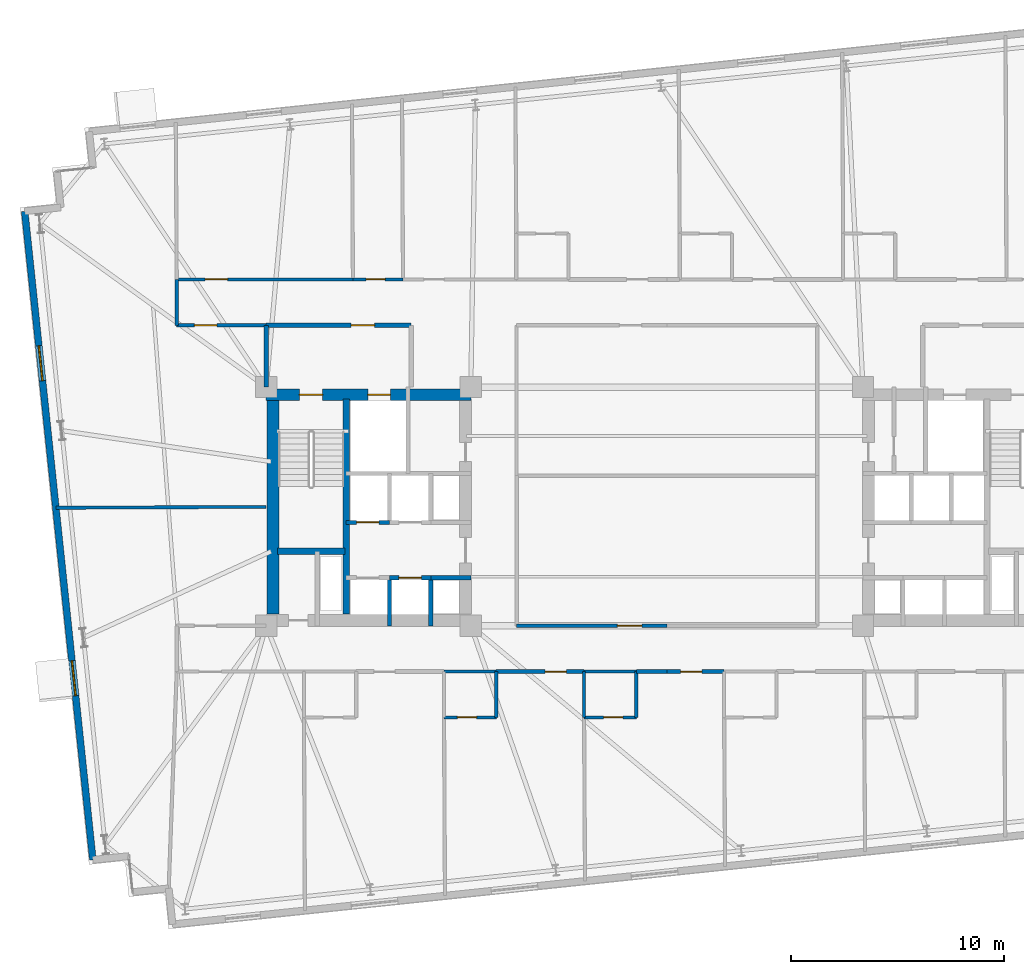
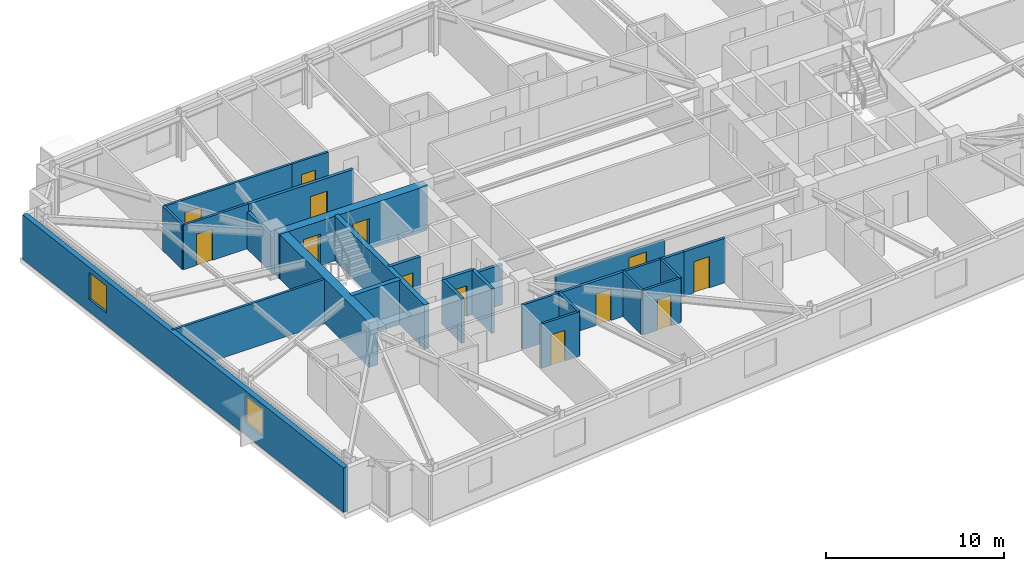
# One storey, part 12 of 18: 28 walls, 13 doors, 2 windows, 15 openings.
"""IFC4 building model written with IfcOpenShell, lengths in metres."""

from ifc_helpers import new_model, si_unit, direction, frame, frame_2d, origin, place, context, subcontext, project, spatial, rectangle, extrude, material, layer, layer_set, type_object, element, fill, save


model = new_model("IFC4")

# Units and contexts
model_context = context("Model", 3, precision=1e-05, world=origin(), true_north=direction((0.0, 1.0)))
body_context = subcontext(model_context, "Body", "Model", "MODEL_VIEW")
ifc_project = project(units=[si_unit("LENGTHUNIT", "METRE"), si_unit("AREAUNIT", "SQUARE_METRE"), si_unit("VOLUMEUNIT", "CUBIC_METRE"), si_unit("PLANEANGLEUNIT", "RADIAN"), si_unit("MASSUNIT", "GRAM", prefix="KILO")], contexts=[model_context])

# Site, building, storey
site_placement = place(None, origin())
site = spatial("IfcSite", under=ifc_project, at=site_placement, CompositionType="ELEMENT")
building_placement = place(site_placement, origin())
building = spatial("IfcBuilding", under=site, at=building_placement, Name="Qobustan Lattice House", CompositionType="ELEMENT")
storey_placement = place(building_placement, frame((0.0, 0.0, 119.199951171875)))
storey = spatial("IfcBuildingStorey", under=building, at=storey_placement, Name="L33", CompositionType="ELEMENT", Elevation=119.199951171875)

# Wall, openings, doors
ifc_material_1 = material(Name="Concrete C60/75", Category="concrete")
ifc_layer_1 = layer(ifc_material_1, 0.56005859375)
ifc_layer_set_1 = layer_set([ifc_layer_1], Name="Concrete C60/75")
wall_type_1 = type_object("IfcWallType", Name="WAL-CORE-600", PredefinedType="SHEAR", material=ifc_layer_set_1)
wall_1_placement = place(storey_placement, frame((-18.800048828125, 5.239990234375, 0.0), z_axis=(0.0, 0.0, 1.0), x_axis=(1.0, 0.0, 0.0)))
wall_1 = element("IfcWall", 1, at=wall_1_placement, inside=storey, type_object=wall_type_1, Name="L33 split-core shear wall CW-N", PredefinedType="SHEAR", context=body_context, shape_type="SweptSolid", body=[
    extrude(rectangle(XDim=9.60009765625, YDim=0.56005859375, at=frame_2d((4.800048828125, 0.0))), origin(), (0.0, 0.0, 1.0), 3.045166015625),
])
opening_1_placement = place(wall_1_placement, frame((1.550048828125, 0.0, 0.0)))
opening_1 = element("IfcOpeningElement", 2, at=opening_1_placement, cuts=wall_1, Name="Opening SD-01", PredefinedType="OPENING", context=body_context, shape_type="SweptSolid", body=[
    extrude(rectangle(XDim=1.10009765625, YDim=2.14990234375, at=frame_2d((0.550048828125, 1.074951171875))), frame((0.0, 0.2900390625, 0.0), z_axis=(0.0, -1.0, 0.0), x_axis=(1.0, 0.0, 0.0)), (0.0, 0.0, 1.0), 0.580078125),
])
opening_2_placement = place(wall_1_placement, frame((4.77490234375, 0.0, 0.0)))
opening_2 = element("IfcOpeningElement", 3, at=opening_2_placement, cuts=wall_1, Name="Opening LD-01", PredefinedType="OPENING", context=body_context, shape_type="SweptSolid", body=[
    extrude(rectangle(XDim=1.050048828125, YDim=2.10009765625, at=frame_2d((0.52490234375, 1.050048828125))), frame((0.0, 0.2900390625, 0.0), z_axis=(0.0, -1.0, 0.0), x_axis=(1.0, 0.0, 0.0)), (0.0, 0.0, 1.0), 0.580078125),
])
ifc_material_2 = material(Name="Persian walnut timber and steel frame door", Category="steel")
door_type_1 = type_object("IfcDoorType", Name="DOR-LIFT-LD-1050x2100", OperationType="NOTDEFINED", PredefinedType="DOOR", material=ifc_material_2)
door_1_placement = place(opening_2_placement, origin())
door_1 = element("IfcDoor", 4, at=door_1_placement, inside=storey, type_object=door_type_1, Name="L33 firefighting lift FF-W landing door", OperationType="DOUBLE_DOOR_SLIDING", OverallHeight=2.10009765625, OverallWidth=1.050048828125, PredefinedType="DOOR", context=body_context, shape_type="SweptSolid", body=[
    extrude(rectangle(XDim=1.050048828125, YDim=2.10009765625, at=frame_2d((0.52490234375, 1.050048828125))), frame((0.0, 0.02490234375, 0.0), z_axis=(0.0, -1.0, 0.0), x_axis=(1.0, 0.0, 0.0)), (0.0, 0.0, 1.0), 0.050048828125),
])
fill(opening_2, door_1)
ifc_material_3 = material(Name="Persian walnut timber and steel frame door", Category="steel")
door_type_2 = type_object("IfcDoorType", Name="DOR-STAIR-FD-1100x2150", OperationType="NOTDEFINED", PredefinedType="DOOR", material=ifc_material_3)
door_2_placement = place(opening_1_placement, origin())
door_2 = element("IfcDoor", 5, at=door_2_placement, inside=storey, type_object=door_type_2, Name="L33 exit stair ST-W1 fire door", OperationType="SINGLE_SWING_RIGHT", OverallHeight=2.14990234375, OverallWidth=1.10009765625, PredefinedType="DOOR", context=body_context, shape_type="SweptSolid", body=[
    extrude(rectangle(XDim=1.10009765625, YDim=2.14990234375, at=frame_2d((0.550048828125, 1.074951171875))), frame((0.0, 0.02490234375, 0.0), z_axis=(0.0, -1.0, 0.0), x_axis=(1.0, 0.0, 0.0)), (0.0, 0.0, 1.0), 0.050048828125),
])
fill(opening_1, door_2)

# Walls
wall_2_placement = place(storey_placement, frame((-18.489990234375, -5.050048828125, 0.0), z_axis=(0.0, 0.0, 1.0), x_axis=(0.0, 1.0, 0.0)))
element("IfcWall", 6, at=wall_2_placement, inside=storey, type_object=wall_type_1, Name="L33 split-core shear wall CW-W", PredefinedType="SHEAR", context=body_context, shape_type="SweptSolid", body=[
    extrude(rectangle(XDim=10.10009765625, YDim=0.56005859375, at=frame_2d((5.050048828125, 0.0))), origin(), (0.0, 0.0, 1.0), 3.045166015625),
])
ifc_material_4 = material(Name="Concrete C50/60", Category="concrete")
ifc_layer_2 = layer(ifc_material_4, 0.280029296875)
ifc_layer_set_2 = layer_set([ifc_layer_2], Name="Concrete C50/60")
wall_type_2 = type_object("IfcWallType", Name="WAL-CORE-SPINE-280", PredefinedType="SHEAR", material=ifc_layer_set_2)
wall_3_placement = place(storey_placement, frame((-15.050048828125, -5.050048828125, 0.0), z_axis=(0.0, 0.0, 1.0), x_axis=(0.0, 1.0, 0.0)))
element("IfcWall", 7, at=wall_3_placement, inside=storey, type_object=wall_type_2, Name="L33 split-core shear wall CW-M", PredefinedType="SHEAR", context=body_context, shape_type="SweptSolid", body=[
    extrude(rectangle(XDim=10.10009765625, YDim=0.300048828125, at=frame_2d((5.050048828125, 0.0))), origin(), (0.0, 0.0, 1.0), 3.045166015625),
])
wall_4_placement = place(storey_placement, frame((-18.280029296875, -2.110107421875, 0.0), z_axis=(0.0, 0.0, 1.0), x_axis=(1.0, 0.0, 0.0)))
element("IfcWall", 8, at=wall_4_placement, inside=storey, type_object=wall_type_2, Name="L33 split-core shear wall CW-ST", PredefinedType="SHEAR", context=body_context, shape_type="SweptSolid", body=[
    extrude(rectangle(XDim=3.179931640625, YDim=0.300048828125, at=frame_2d((1.58984375, 0.0))), origin(), (0.0, 0.0, 1.0), 3.045166015625),
])

# Wall, openings, windows
ifc_material_5 = material(Name="Precast concrete C40/50", Category="concrete")
ifc_layer_3 = layer(ifc_material_5, 0.320068359375)
ifc_layer_set_3 = layer_set([ifc_layer_3], Name="Precast concrete C40/50")
wall_type_3 = type_object("IfcWallType", Name="WAL-EXT-STONE-320", PredefinedType="SOLIDWALL", material=ifc_layer_set_3)
wall_5_placement = place(storey_placement, frame((-26.934814453125, -16.58349609375, 0.0), z_axis=(0.0, 0.0, 1.0), x_axis=(-0.104524887486, 0.994522271192, 0.0)))
wall_5 = element("IfcWall", 9, at=wall_5_placement, inside=storey, type_object=wall_type_3, Name="L33 exterior limestone-clad wall 5", PredefinedType="SOLIDWALL", context=body_context, shape_type="SweptSolid", body=[
    extrude(rectangle(XDim=30.600341796875, YDim=0.320068359375, at=frame_2d((15.30029296875, 0.0))), origin(), (0.0, 0.0, 1.0), 3.045166015625),
])
opening_3_placement = place(wall_5_placement, frame((7.74609375, 0.0, 0.85009765625)))
opening_3 = element("IfcOpeningElement", 10, at=opening_3_placement, cuts=wall_5, Name="Opening WN-09", PredefinedType="OPENING", context=body_context, shape_type="SweptSolid", body=[
    extrude(rectangle(XDim=1.64990234375, YDim=1.85009765625, at=frame_2d((0.824951171875, 0.925048828125))), frame((0.0, 0.169921875, 0.0), z_axis=(0.0, -1.0, 0.0), x_axis=(1.0, 0.0, 0.0)), (0.0, 0.0, 1.0), 0.340087890625),
])
opening_4_placement = place(wall_5_placement, frame((22.605712890625, 0.0, 0.85009765625)))
opening_4 = element("IfcOpeningElement", 11, at=opening_4_placement, cuts=wall_5, Name="Opening WN-09", PredefinedType="OPENING", context=body_context, shape_type="SweptSolid", body=[
    extrude(rectangle(XDim=1.64990234375, YDim=1.85009765625, at=frame_2d((0.824951171875, 0.925048828125))), frame((0.0, 0.169921875, 0.0), z_axis=(0.0, -1.0, 0.0), x_axis=(1.0, 0.0, 0.0)), (0.0, 0.0, 1.0), 0.340087890625),
])
ifc_material_6 = material(Name="Double-glazed low-E aluminium window", Category="aluminium")
window_type = type_object("IfcWindowType", Name="WIN-STU-1650x1850", PartitioningType="SINGLE_PANEL", PredefinedType="WINDOW", material=ifc_material_6)
window_1_placement = place(opening_3_placement, origin())
window_1 = element("IfcWindow", 12, at=window_1_placement, inside=storey, type_object=window_type, Name="L33 Fellows reading room window", OverallHeight=1.85009765625, OverallWidth=1.64990234375, PartitioningType="SINGLE_PANEL", PredefinedType="WINDOW", context=body_context, shape_type="SweptSolid", body=[
    extrude(rectangle(XDim=1.64990234375, YDim=1.85009765625, at=frame_2d((0.824951171875, 0.925048828125))), frame((0.0, 0.030029296875, 0.0), z_axis=(0.0, -1.0, 0.0), x_axis=(1.0, 0.0, 0.0)), (0.0, 0.0, 1.0), 0.06005859375),
])
fill(opening_3, window_1)
window_2_placement = place(opening_4_placement, origin())
window_2 = element("IfcWindow", 13, at=window_2_placement, inside=storey, type_object=window_type, Name="L33 Collaborative tutorial room window", OverallHeight=1.85009765625, OverallWidth=1.64990234375, PartitioningType="SINGLE_PANEL", PredefinedType="WINDOW", context=body_context, shape_type="SweptSolid", body=[
    extrude(rectangle(XDim=1.64990234375, YDim=1.85009765625, at=frame_2d((0.824951171875, 0.925048828125))), frame((0.0, 0.030029296875, 0.0), z_axis=(0.0, -1.0, 0.0), x_axis=(1.0, 0.0, 0.0)), (0.0, 0.0, 1.0), 0.06005859375),
])
fill(opening_4, window_2)

# Wall, opening, door
ifc_material_7 = material(Name="Gypsum fireboard acoustic partition", Category="gypsum")
ifc_layer_4 = layer(ifc_material_7, 0.179931640625)
ifc_layer_set_4 = layer_set([ifc_layer_4], Name="Gypsum fireboard acoustic partition")
wall_type_4 = type_object("IfcWallType", Name="WAL-FIRE-180", PredefinedType="PARTITIONING", material=ifc_layer_set_4)
wall_6_placement = place(storey_placement, frame((-3.885986328125, -7.75, 0.0), z_axis=(0.0, 0.0, 1.0), x_axis=(-1.0, 0.0, 0.0)))
wall_6 = element("IfcWall", 14, at=wall_6_placement, inside=storey, type_object=wall_type_4, Name="L33 interior partition 59", PredefinedType="PARTITIONING", context=body_context, shape_type="SweptSolid", body=[
    extrude(rectangle(XDim=4.12109375, YDim=0.179931640625, at=frame_2d((2.060546875, 0.0))), origin(), (0.0, 0.0, 1.0), 3.045166015625),
])
opening_5_placement = place(wall_6_placement, frame((0.8251953125, 0.0, 0.0)))
opening_5 = element("IfcOpeningElement", 15, at=opening_5_placement, cuts=wall_6, Name="Opening FD-02", PredefinedType="OPENING", context=body_context, shape_type="SweptSolid", body=[
    extrude(rectangle(XDim=1.0, YDim=2.14990234375, at=frame_2d((0.5, 1.074951171875))), frame((0.0, 0.099853515625, 0.0), z_axis=(0.0, -1.0, 0.0), x_axis=(1.0, 0.0, 0.0)), (0.0, 0.0, 1.0), 0.199951171875),
])
ifc_material_8 = material(Name="Persian walnut timber and steel frame door", Category="steel")
door_type_3 = type_object("IfcDoorType", Name="DOR-UNIT-FD-1000x2150", OperationType="NOTDEFINED", PredefinedType="DOOR", material=ifc_material_8)
door_3_placement = place(opening_5_placement, origin())
door_3 = element("IfcDoor", 16, at=door_3_placement, inside=storey, type_object=door_type_3, Name="L33 South-west floor corridor to Kitchenette and studio apartment L33-S3 door", OperationType="SINGLE_SWING_LEFT", OverallHeight=2.14990234375, OverallWidth=1.0, PredefinedType="DOOR", context=body_context, shape_type="SweptSolid", body=[
    extrude(rectangle(XDim=1.0, YDim=2.14990234375, at=frame_2d((0.5, 1.074951171875))), frame((0.0, 0.02490234375, 0.0), z_axis=(0.0, -1.0, 0.0), x_axis=(1.0, 0.0, 0.0)), (0.0, 0.0, 1.0), 0.050048828125),
])
fill(opening_5, door_3)

# Wall
wall_7_placement = place(storey_placement, frame((0.0, -7.75, 0.0), z_axis=(0.0, 0.0, 1.0), x_axis=(-1.0, 0.0, 0.0)))
element("IfcWall", 17, at=wall_7_placement, inside=storey, type_object=wall_type_4, Name="L33 interior partition 61", PredefinedType="PARTITIONING", context=body_context, shape_type="SweptSolid", body=[
    extrude(rectangle(XDim=1.43603515625, YDim=0.179931640625, at=frame_2d((0.718017578125, 0.0))), origin(), (0.0, 0.0, 1.0), 3.045166015625),
])

# Wall, opening, door
wall_8_placement = place(storey_placement, frame((2.68603515625, -7.75, 0.0), z_axis=(0.0, 0.0, 1.0), x_axis=(-1.0, 0.0, 0.0)))
wall_8 = element("IfcWall", 18, at=wall_8_placement, inside=storey, type_object=wall_type_4, Name="L33 interior partition 66", PredefinedType="PARTITIONING", context=body_context, shape_type="SweptSolid", body=[
    extrude(rectangle(XDim=2.68603515625, YDim=0.179931640625, at=frame_2d((1.343017578125, 0.0))), origin(), (0.0, 0.0, 1.0), 3.045166015625),
])
opening_6_placement = place(wall_8_placement, frame((1.040283203125, 0.0, 0.0)))
opening_6 = element("IfcOpeningElement", 19, at=opening_6_placement, cuts=wall_8, Name="Opening FD-02", PredefinedType="OPENING", context=body_context, shape_type="SweptSolid", body=[
    extrude(rectangle(XDim=1.0, YDim=2.14990234375, at=frame_2d((0.5, 1.074951171875))), frame((0.0, 0.099853515625, 0.0), z_axis=(0.0, -1.0, 0.0), x_axis=(1.0, 0.0, 0.0)), (0.0, 0.0, 1.0), 0.199951171875),
])
door_4_placement = place(opening_6_placement, origin())
door_4 = element("IfcDoor", 20, at=door_4_placement, inside=storey, type_object=door_type_3, Name="L33 South-east floor corridor to Kitchenette and studio apartment L33-S4 door", OperationType="SINGLE_SWING_RIGHT", OverallHeight=2.14990234375, OverallWidth=1.0, PredefinedType="DOOR", context=body_context, shape_type="SweptSolid", body=[
    extrude(rectangle(XDim=1.0, YDim=2.14990234375, at=frame_2d((0.5, 1.074951171875))), frame((0.0, 0.02490234375, 0.0), z_axis=(0.0, -1.0, 0.0), x_axis=(1.0, 0.0, 0.0)), (0.0, 0.0, 1.0), 0.050048828125),
])
fill(opening_6, door_4)

ifc_material_9 = material(Name="Acoustic twin-stud gypsum partition", Category="gypsum")
ifc_layer_5 = layer(ifc_material_9, 0.14990234375)
ifc_layer_set_5 = layer_set([ifc_layer_5], Name="Acoustic twin-stud gypsum partition")
wall_type_5 = type_object("IfcWallType", Name="WAL-PART-150", PredefinedType="PARTITIONING", material=ifc_layer_set_5)
wall_9_placement = place(storey_placement, frame((-18.800048828125, 8.5, 0.0), z_axis=(0.0, 0.0, 1.0), x_axis=(-1.0, 0.0, 0.0)))
wall_9 = element("IfcWall", 21, at=wall_9_placement, inside=storey, type_object=wall_type_5, Name="L33 interior partition 36", PredefinedType="PARTITIONING", context=body_context, shape_type="SweptSolid", body=[
    extrude(rectangle(XDim=4.199951171875, YDim=0.14990234375, at=frame_2d((2.10009765625, 0.0))), origin(), (0.0, 0.0, 1.0), 3.045166015625),
])
opening_7_placement = place(wall_9_placement, frame((2.3212890625, 0.0, 0.0)))
opening_7 = element("IfcOpeningElement", 22, at=opening_7_placement, cuts=wall_9, Name="Opening ID-02", PredefinedType="OPENING", context=body_context, shape_type="SweptSolid", body=[
    extrude(rectangle(XDim=1.050048828125, YDim=2.14990234375, at=frame_2d((0.52490234375, 1.074951171875))), frame((0.0, 0.0849609375, 0.0), z_axis=(0.0, -1.0, 0.0), x_axis=(1.0, 0.0, 0.0)), (0.0, 0.0, 1.0), 0.169921875),
])
ifc_material_10 = material(Name="Persian walnut timber and steel frame door", Category="steel")
door_type_4 = type_object("IfcDoorType", Name="DOR-STUDY-1050x2150", OperationType="NOTDEFINED", PredefinedType="DOOR", material=ifc_material_10)
door_5_placement = place(opening_7_placement, origin())
door_5 = element("IfcDoor", 23, at=door_5_placement, inside=storey, type_object=door_type_4, Name="L33 North-west floor corridor to Collaborative tutorial room door", OperationType="SINGLE_SWING_LEFT", OverallHeight=2.14990234375, OverallWidth=1.050048828125, PredefinedType="DOOR", context=body_context, shape_type="SweptSolid", body=[
    extrude(rectangle(XDim=1.050048828125, YDim=2.14990234375, at=frame_2d((0.52490234375, 1.074951171875))), frame((0.0, 0.02490234375, 0.0), z_axis=(0.0, -1.0, 0.0), x_axis=(1.0, 0.0, 0.0)), (0.0, 0.0, 1.0), 0.050048828125),
])
fill(opening_7, door_5)

# Wall
wall_10_placement = place(storey_placement, frame((-23.0, 8.5, 0.0), z_axis=(0.0, 0.0, 1.0), x_axis=(0.0, 1.0, 0.0)))
element("IfcWall", 24, at=wall_10_placement, inside=storey, type_object=wall_type_5, Name="L33 interior partition 37", PredefinedType="PARTITIONING", context=body_context, shape_type="SweptSolid", body=[
    extrude(rectangle(XDim=2.14990234375, YDim=0.14990234375, at=frame_2d((1.074951171875, 0.0))), origin(), (0.0, 0.0, 1.0), 3.045166015625),
])

# Wall, opening, door
wall_11_placement = place(storey_placement, frame((-23.0, 10.64990234375, 0.0), z_axis=(0.0, 0.0, 1.0), x_axis=(1.0, 0.0, 0.0)))
wall_11 = element("IfcWall", 25, at=wall_11_placement, inside=storey, type_object=wall_type_5, Name="L33 interior partition 38", PredefinedType="PARTITIONING", context=body_context, shape_type="SweptSolid", body=[
    extrude(rectangle(XDim=8.26708984375, YDim=0.14990234375, at=frame_2d((4.133544921875, 0.0))), origin(), (0.0, 0.0, 1.0), 3.045166015625),
])
opening_8_placement = place(wall_11_placement, frame((1.337158203125, 0.0, 0.0)))
opening_8 = element("IfcOpeningElement", 26, at=opening_8_placement, cuts=wall_11, Name="Opening ID-02", PredefinedType="OPENING", context=body_context, shape_type="SweptSolid", body=[
    extrude(rectangle(XDim=1.050048828125, YDim=2.14990234375, at=frame_2d((0.52490234375, 1.074951171875))), frame((0.0, 0.0849609375, 0.0), z_axis=(0.0, -1.0, 0.0), x_axis=(1.0, 0.0, 0.0)), (0.0, 0.0, 1.0), 0.169921875),
])
door_6_placement = place(opening_8_placement, origin())
door_6 = element("IfcDoor", 27, at=door_6_placement, inside=storey, type_object=door_type_4, Name="L33 North-west floor corridor to Focus study room N1 door", OperationType="SINGLE_SWING_RIGHT", OverallHeight=2.14990234375, OverallWidth=1.050048828125, PredefinedType="DOOR", context=body_context, shape_type="SweptSolid", body=[
    extrude(rectangle(XDim=1.050048828125, YDim=2.14990234375, at=frame_2d((0.52490234375, 1.074951171875))), frame((0.0, 0.02490234375, 0.0), z_axis=(0.0, -1.0, 0.0), x_axis=(1.0, 0.0, 0.0)), (0.0, 0.0, 1.0), 0.050048828125),
])
fill(opening_8, door_6)

# Wall
wall_12_placement = place(storey_placement, frame((-28.6708984375, -0.063720703125, 0.0), z_axis=(0.0, 0.0, 1.0), x_axis=(0.999990089865, 0.004451985263, 0.0)))
element("IfcWall", 28, at=wall_12_placement, inside=storey, type_object=wall_type_5, Name="L33 interior partition 77", PredefinedType="PARTITIONING", context=body_context, shape_type="SweptSolid", body=[
    extrude(rectangle(XDim=9.870849609375, YDim=0.14990234375, at=frame_2d((4.935546875, 0.0))), origin(), (0.0, 0.0, 1.0), 3.045166015625),
])

# Wall, opening, door
ifc_material_11 = material(Name="High-mass acoustic twin-stud partition", Category="gypsum")
ifc_layer_6 = layer(ifc_material_11, 0.1650390625)
ifc_layer_set_6 = layer_set([ifc_layer_6], Name="High-mass acoustic twin-stud partition")
wall_type_6 = type_object("IfcWallType", Name="WAL-PART-165", PredefinedType="PARTITIONING", material=ifc_layer_set_6)
wall_13_placement = place(storey_placement, frame((-7.050048828125, -5.60009765625, 0.0), z_axis=(0.0, 0.0, 1.0), x_axis=(1.0, 0.0, 0.0)))
wall_13 = element("IfcWall", 29, at=wall_13_placement, inside=storey, type_object=wall_type_6, Name="L33 interior partition 63", PredefinedType="PARTITIONING", context=body_context, shape_type="SweptSolid", body=[
    extrude(rectangle(XDim=7.050048828125, YDim=0.1650390625, at=frame_2d((3.52490234375, 0.0))), origin(), (0.0, 0.0, 1.0), 2.530029296875),
])
opening_9_placement = place(wall_13_placement, frame((4.7275390625, 0.0, 0.0)))
opening_9 = element("IfcOpeningElement", 30, at=opening_9_placement, cuts=wall_13, Name="Opening ID-03", PredefinedType="OPENING", context=body_context, shape_type="SweptSolid", body=[
    extrude(rectangle(XDim=1.14990234375, YDim=2.14990234375, at=frame_2d((0.574951171875, 1.074951171875))), frame((0.0, 0.092529296875, 0.0), z_axis=(0.0, -1.0, 0.0), x_axis=(1.0, 0.0, 0.0)), (0.0, 0.0, 1.0), 0.18505859375),
])
ifc_material_12 = material(Name="Persian walnut timber and steel frame door", Category="steel")
door_type_5 = type_object("IfcDoorType", Name="DOR-KITCH-1150x2150", OperationType="NOTDEFINED", PredefinedType="DOOR", material=ifc_material_12)
door_7_placement = place(opening_9_placement, origin())
door_7 = element("IfcDoor", 31, at=door_7_placement, inside=storey, type_object=door_type_5, Name="L33 South-west floor corridor to Communal dining kitchen door", OperationType="SINGLE_SWING_RIGHT", OverallHeight=2.14990234375, OverallWidth=1.14990234375, PredefinedType="DOOR", context=body_context, shape_type="SweptSolid", body=[
    extrude(rectangle(XDim=1.14990234375, YDim=2.14990234375, at=frame_2d((0.574951171875, 1.074951171875))), frame((0.0, 0.02490234375, 0.0), z_axis=(0.0, -1.0, 0.0), x_axis=(1.0, 0.0, 0.0)), (0.0, 0.0, 1.0), 0.050048828125),
])
fill(opening_9, door_7)

ifc_material_13 = material(Name="Two-hour gypsum fireboard acoustic partition", Category="gypsum")
ifc_layer_7 = layer(ifc_material_13, 0.199951171875)
ifc_layer_set_7 = layer_set([ifc_layer_7], Name="Two-hour gypsum fireboard acoustic partition")
wall_type_7 = type_object("IfcWallType", Name="WAL-PROT-200", PredefinedType="PARTITIONING", material=ifc_layer_set_7)
wall_14_placement = place(storey_placement, frame((-12.0, 8.5, 0.0), z_axis=(0.0, 0.0, 1.0), x_axis=(-1.0, 0.0, 0.0)))
wall_14 = element("IfcWall", 32, at=wall_14_placement, inside=storey, type_object=wall_type_7, Name="L33 interior partition 3", PredefinedType="PARTITIONING", context=body_context, shape_type="SweptSolid", body=[
    extrude(rectangle(XDim=6.800048828125, YDim=0.199951171875, at=frame_2d((3.39990234375, 0.0))), origin(), (0.0, 0.0, 1.0), 3.045166015625),
])
opening_10_placement = place(wall_14_placement, frame((1.715087890625, 0.0, 0.0)))
opening_10 = element("IfcOpeningElement", 33, at=opening_10_placement, cuts=wall_14, Name="Opening SD-01", PredefinedType="OPENING", context=body_context, shape_type="SweptSolid", body=[
    extrude(rectangle(XDim=1.10009765625, YDim=2.14990234375, at=frame_2d((0.550048828125, 1.074951171875))), frame((0.0, 0.10986328125, 0.0), z_axis=(0.0, -1.0, 0.0), x_axis=(1.0, 0.0, 0.0)), (0.0, 0.0, 1.0), 0.219970703125),
])
door_8_placement = place(opening_10_placement, origin())
door_8 = element("IfcDoor", 34, at=door_8_placement, inside=storey, type_object=door_type_2, Name="L33 West firefighting lift lobby to North-west floor corridor door", OperationType="SINGLE_SWING_RIGHT", OverallHeight=2.14990234375, OverallWidth=1.10009765625, PredefinedType="DOOR", context=body_context, shape_type="SweptSolid", body=[
    extrude(rectangle(XDim=1.10009765625, YDim=2.14990234375, at=frame_2d((0.550048828125, 1.074951171875))), frame((0.0, 0.02490234375, 0.0), z_axis=(0.0, -1.0, 0.0), x_axis=(1.0, 0.0, 0.0)), (0.0, 0.0, 1.0), 0.050048828125),
])
fill(opening_10, door_8)

# Wall
wall_15_placement = place(storey_placement, frame((-18.800048828125, 8.5, 0.0), z_axis=(0.0, 0.0, 1.0), x_axis=(0.0, -1.0, 0.0)))
element("IfcWall", 35, at=wall_15_placement, inside=storey, type_object=wall_type_7, Name="L33 interior partition 5", PredefinedType="PARTITIONING", context=body_context, shape_type="SweptSolid", body=[
    extrude(rectangle(XDim=2.89990234375, YDim=0.199951171875, at=frame_2d((1.449951171875, 0.0))), origin(), (0.0, 0.0, 1.0), 2.530029296875),
])

# Wall, opening, door
ifc_material_14 = material(Name="Concrete C40/50", Category="concrete")
ifc_layer_8 = layer(ifc_material_14, 0.199951171875)
ifc_layer_set_8 = layer_set([ifc_layer_8], Name="Concrete C40/50")
wall_type_8 = type_object("IfcWallType", Name="WAL-SHAFT-200", PredefinedType="PARTITIONING", material=ifc_layer_set_8)
wall_16_placement = place(storey_placement, frame((-13.02001953125, -3.35009765625, 0.0), z_axis=(0.0, 0.0, 1.0), x_axis=(1.0, 0.0, 0.0)))
wall_16 = element("IfcWall", 36, at=wall_16_placement, inside=storey, type_object=wall_type_8, Name="L33 interior partition 8", PredefinedType="PARTITIONING", context=body_context, shape_type="SweptSolid", body=[
    extrude(rectangle(XDim=1.93994140625, YDim=0.199951171875, at=frame_2d((0.969970703125, 0.0))), origin(), (0.0, 0.0, 1.0), 3.045166015625),
])
opening_11_placement = place(wall_16_placement, frame((0.445068359375, 0.0, 0.0)))
opening_11 = element("IfcOpeningElement", 37, at=opening_11_placement, cuts=wall_16, Name="Opening LD-01", PredefinedType="OPENING", context=body_context, shape_type="SweptSolid", body=[
    extrude(rectangle(XDim=1.050048828125, YDim=2.10009765625, at=frame_2d((0.52490234375, 1.050048828125))), frame((0.0, 0.10986328125, 0.0), z_axis=(0.0, -1.0, 0.0), x_axis=(1.0, 0.0, 0.0)), (0.0, 0.0, 1.0), 0.219970703125),
])
door_9_placement = place(opening_11_placement, origin())
door_9 = element("IfcDoor", 38, at=door_9_placement, inside=storey, type_object=door_type_1, Name="L33 lift landing door", OperationType="DOUBLE_DOOR_SLIDING", OverallHeight=2.10009765625, OverallWidth=1.050048828125, PredefinedType="DOOR", context=body_context, shape_type="SweptSolid", body=[
    extrude(rectangle(XDim=1.050048828125, YDim=2.10009765625, at=frame_2d((0.52490234375, 1.050048828125))), frame((0.0, 0.02490234375, 0.0), z_axis=(0.0, -1.0, 0.0), x_axis=(1.0, 0.0, 0.0)), (0.0, 0.0, 1.0), 0.050048828125),
])
fill(opening_11, door_9)

# Wall
wall_17_placement = place(storey_placement, frame((-11.080078125, -3.35009765625, 0.0), z_axis=(0.0, 0.0, 1.0), x_axis=(1.0, 0.0, 0.0)))
element("IfcWall", 39, at=wall_17_placement, inside=storey, type_object=wall_type_8, Name="L33 interior partition 9", PredefinedType="PARTITIONING", context=body_context, shape_type="SweptSolid", body=[
    extrude(rectangle(XDim=1.880126953125, YDim=0.199951171875, at=frame_2d((0.93994140625, 0.0))), origin(), (0.0, 0.0, 1.0), 2.760009765625),
])

# Wall, opening, door
wall_18_placement = place(storey_placement, frame((-13.02001953125, -0.75, 0.0), z_axis=(0.0, 0.0, 1.0), x_axis=(-1.0, 0.0, 0.0)))
wall_18 = element("IfcWall", 40, at=wall_18_placement, inside=storey, type_object=wall_type_8, Name="L33 interior partition 10", PredefinedType="PARTITIONING", context=body_context, shape_type="SweptSolid", body=[
    extrude(rectangle(XDim=2.030029296875, YDim=0.199951171875, at=frame_2d((1.01513671875, 0.0))), origin(), (0.0, 0.0, 1.0), 3.045166015625),
])
opening_12_placement = place(wall_18_placement, frame((0.489990234375, 0.0, 0.0)))
opening_12 = element("IfcOpeningElement", 41, at=opening_12_placement, cuts=wall_18, Name="Opening LD-01", PredefinedType="OPENING", context=body_context, shape_type="SweptSolid", body=[
    extrude(rectangle(XDim=1.050048828125, YDim=2.10009765625, at=frame_2d((0.52490234375, 1.050048828125))), frame((0.0, 0.10986328125, 0.0), z_axis=(0.0, -1.0, 0.0), x_axis=(1.0, 0.0, 0.0)), (0.0, 0.0, 1.0), 0.219970703125),
])
door_10_placement = place(opening_12_placement, origin())
door_10 = element("IfcDoor", 42, at=door_10_placement, inside=storey, type_object=door_type_1, Name="L33 lift landing door", OperationType="DOUBLE_DOOR_SLIDING", OverallHeight=2.10009765625, OverallWidth=1.050048828125, PredefinedType="DOOR", context=body_context, shape_type="SweptSolid", body=[
    extrude(rectangle(XDim=1.050048828125, YDim=2.10009765625, at=frame_2d((0.52490234375, 1.050048828125))), frame((0.0, 0.02490234375, 0.0), z_axis=(0.0, -1.0, 0.0), x_axis=(1.0, 0.0, 0.0)), (0.0, 0.0, 1.0), 0.050048828125),
])
fill(opening_12, door_10)

# Walls
for number, where, z_axis, x_axis, name in (
    (43, (-13.02001953125, -5.60009765625, 0.0), (0.0, 0.0, 1.0), (0.0, 1.0, 0.0), "L33 interior partition 14"),
    (44, (-11.080078125, -5.60009765625, 0.0), (0.0, 0.0, 1.0), (0.0, 1.0, 0.0), "L33 interior partition 15"),
):
    element("IfcWall", number, at=place(storey_placement, frame(where, z_axis=z_axis, x_axis=x_axis)), inside=storey, type_object=wall_type_8, Name=name, PredefinedType="PARTITIONING", context=body_context, shape_type="SweptSolid", body=[
        extrude(rectangle(XDim=2.25, YDim=0.199951171875, at=frame_2d((1.125, 0.0))), origin(), (0.0, 0.0, 1.0), 3.045166015625),
    ])

# Wall, opening, door
ifc_material_15 = material(Name="Moisture-resistant acoustic plumbing wall", Category="gypsum")
ifc_layer_9 = layer(ifc_material_15, 0.14990234375)
ifc_layer_set_9 = layer_set([ifc_layer_9], Name="Moisture-resistant acoustic plumbing wall")
wall_type_9 = type_object("IfcWallType", Name="WAL-WET-150", PredefinedType="PLUMBINGWALL", material=ifc_layer_set_9)
wall_19_placement = place(storey_placement, frame((-14.73291015625, 10.64990234375, 0.0), z_axis=(0.0, 0.0, 1.0), x_axis=(1.0, 0.0, 0.0)))
wall_19 = element("IfcWall", 45, at=wall_19_placement, inside=storey, type_object=wall_type_9, Name="L33 interior partition 39", PredefinedType="PLUMBINGWALL", context=body_context, shape_type="SweptSolid", body=[
    extrude(rectangle(XDim=2.349853515625, YDim=0.14990234375, at=frame_2d((1.1748046875, 0.0))), origin(), (0.0, 0.0, 1.0), 3.045166015625),
])
opening_13_placement = place(wall_19_placement, frame((0.6162109375, 0.0, 0.0)))
opening_13 = element("IfcOpeningElement", 46, at=opening_13_placement, cuts=wall_19, Name="Opening WD-01", PredefinedType="OPENING", context=body_context, shape_type="SweptSolid", body=[
    extrude(rectangle(XDim=0.89990234375, YDim=2.10009765625, at=frame_2d((0.449951171875, 1.050048828125))), frame((0.0, 0.0849609375, 0.0), z_axis=(0.0, -1.0, 0.0), x_axis=(1.0, 0.0, 0.0)), (0.0, 0.0, 1.0), 0.169921875),
])
ifc_material_16 = material(Name="Persian walnut timber and steel frame door", Category="steel")
door_type_6 = type_object("IfcDoorType", Name="DOR-WET-900x2100", OperationType="NOTDEFINED", PredefinedType="DOOR", material=ifc_material_16)
door_11_placement = place(opening_13_placement, origin())
door_11 = element("IfcDoor", 47, at=door_11_placement, inside=storey, type_object=door_type_6, Name="L33 North-west floor corridor to Accessible WC door", OperationType="SINGLE_SWING_LEFT", OverallHeight=2.10009765625, OverallWidth=0.89990234375, PredefinedType="DOOR", context=body_context, shape_type="SweptSolid", body=[
    extrude(rectangle(XDim=0.89990234375, YDim=2.10009765625, at=frame_2d((0.449951171875, 1.050048828125))), frame((0.0, 0.02490234375, 0.0), z_axis=(0.0, -1.0, 0.0), x_axis=(1.0, 0.0, 0.0)), (0.0, 0.0, 1.0), 0.050048828125),
])
fill(opening_13, door_11)

# Walls
for number, where, z_axis, x_axis, name in (
    (48, (-8.007080078125, -7.75, 0.0), (0.0, 0.0, 1.0), (-1.0, 0.0, 0.0), "L33 interior partition 60"),
    (49, (-1.43603515625, -7.75, 0.0), (0.0, 0.0, 1.0), (-1.0, 0.0, 0.0), "L33 interior partition 62"),
):
    element("IfcWall", number, at=place(storey_placement, frame(where, z_axis=z_axis, x_axis=x_axis)), inside=storey, type_object=wall_type_9, Name=name, PredefinedType="PLUMBINGWALL", context=body_context, shape_type="SweptSolid", body=[
        extrude(rectangle(XDim=2.449951171875, YDim=0.14990234375, at=frame_2d((1.22509765625, 0.0))), origin(), (0.0, 0.0, 1.0), 3.045166015625),
    ])

# Wall, opening, door
wall_20_placement = place(storey_placement, frame((-10.45703125, -9.89990234375, 0.0), z_axis=(0.0, 0.0, 1.0), x_axis=(1.0, 0.0, 0.0)))
wall_20 = element("IfcWall", 50, at=wall_20_placement, inside=storey, type_object=wall_type_9, Name="L33 interior partition 105", PredefinedType="PLUMBINGWALL", context=body_context, shape_type="SweptSolid", body=[
    extrude(rectangle(XDim=2.449951171875, YDim=0.14990234375, at=frame_2d((1.22509765625, 0.0))), origin(), (0.0, 0.0, 1.0), 3.045166015625),
])
opening_14_placement = place(wall_20_placement, frame((0.62890625, 0.0, 0.0)))
opening_14 = element("IfcOpeningElement", 51, at=opening_14_placement, cuts=wall_20, Name="Opening WD-01", PredefinedType="OPENING", context=body_context, shape_type="SweptSolid", body=[
    extrude(rectangle(XDim=0.89990234375, YDim=2.10009765625, at=frame_2d((0.449951171875, 1.050048828125))), frame((0.0, 0.0849609375, 0.0), z_axis=(0.0, -1.0, 0.0), x_axis=(1.0, 0.0, 0.0)), (0.0, 0.0, 1.0), 0.169921875),
])
door_12_placement = place(opening_14_placement, origin())
door_12 = element("IfcDoor", 52, at=door_12_placement, inside=storey, type_object=door_type_6, Name="L33 Kitchenette and studio apartment L33-S3 to En-suite bathroom L33-S3 door", OperationType="SINGLE_SWING_RIGHT", OverallHeight=2.10009765625, OverallWidth=0.89990234375, PredefinedType="DOOR", context=body_context, shape_type="SweptSolid", body=[
    extrude(rectangle(XDim=0.89990234375, YDim=2.10009765625, at=frame_2d((0.449951171875, 1.050048828125))), frame((0.0, 0.02490234375, 0.0), z_axis=(0.0, -1.0, 0.0), x_axis=(1.0, 0.0, 0.0)), (0.0, 0.0, 1.0), 0.050048828125),
])
fill(opening_14, door_12)

# Walls
for number, where, z_axis, x_axis, name in (
    (53, (-8.007080078125, -9.89990234375, 0.0), (0.0, 0.0, 1.0), (0.0, 1.0, 0.0), "L33 interior partition 106"),
    (54, (-3.885986328125, -7.75, 0.0), (0.0, 0.0, 1.0), (0.0, -1.0, 0.0), "L33 interior partition 108"),
):
    element("IfcWall", number, at=place(storey_placement, frame(where, z_axis=z_axis, x_axis=x_axis)), inside=storey, type_object=wall_type_9, Name=name, PredefinedType="PLUMBINGWALL", context=body_context, shape_type="SweptSolid", body=[
        extrude(rectangle(XDim=2.14990234375, YDim=0.14990234375, at=frame_2d((1.074951171875, 0.0))), origin(), (0.0, 0.0, 1.0), 3.045166015625),
    ])

# Wall, opening, door
wall_21_placement = place(storey_placement, frame((-3.885986328125, -9.89990234375, 0.0), z_axis=(0.0, 0.0, 1.0), x_axis=(1.0, 0.0, 0.0)))
wall_21 = element("IfcWall", 55, at=wall_21_placement, inside=storey, type_object=wall_type_9, Name="L33 interior partition 109", PredefinedType="PLUMBINGWALL", context=body_context, shape_type="SweptSolid", body=[
    extrude(rectangle(XDim=2.449951171875, YDim=0.14990234375, at=frame_2d((1.22509765625, 0.0))), origin(), (0.0, 0.0, 1.0), 3.045166015625),
])
opening_15_placement = place(wall_21_placement, frame((0.92138671875, 0.0, 0.0)))
opening_15 = element("IfcOpeningElement", 56, at=opening_15_placement, cuts=wall_21, Name="Opening WD-01", PredefinedType="OPENING", context=body_context, shape_type="SweptSolid", body=[
    extrude(rectangle(XDim=0.89990234375, YDim=2.10009765625, at=frame_2d((0.449951171875, 1.050048828125))), frame((0.0, 0.0849609375, 0.0), z_axis=(0.0, -1.0, 0.0), x_axis=(1.0, 0.0, 0.0)), (0.0, 0.0, 1.0), 0.169921875),
])
door_13_placement = place(opening_15_placement, origin())
door_13 = element("IfcDoor", 57, at=door_13_placement, inside=storey, type_object=door_type_6, Name="L33 Kitchenette and studio apartment L33-S4 to En-suite bathroom L33-S4 door", OperationType="SINGLE_SWING_LEFT", OverallHeight=2.10009765625, OverallWidth=0.89990234375, PredefinedType="DOOR", context=body_context, shape_type="SweptSolid", body=[
    extrude(rectangle(XDim=0.89990234375, YDim=2.10009765625, at=frame_2d((0.449951171875, 1.050048828125))), frame((0.0, 0.02490234375, 0.0), z_axis=(0.0, -1.0, 0.0), x_axis=(1.0, 0.0, 0.0)), (0.0, 0.0, 1.0), 0.050048828125),
])
fill(opening_15, door_13)

# Wall
wall_22_placement = place(storey_placement, frame((-1.43603515625, -9.89990234375, 0.0), z_axis=(0.0, 0.0, 1.0), x_axis=(0.0, 1.0, 0.0)))
element("IfcWall", 58, at=wall_22_placement, inside=storey, type_object=wall_type_9, Name="L33 interior partition 110", PredefinedType="PLUMBINGWALL", context=body_context, shape_type="SweptSolid", body=[
    extrude(rectangle(XDim=2.14990234375, YDim=0.14990234375, at=frame_2d((1.074951171875, 0.0))), origin(), (0.0, 0.0, 1.0), 3.045166015625),
])

save(model, "model.ifc")
